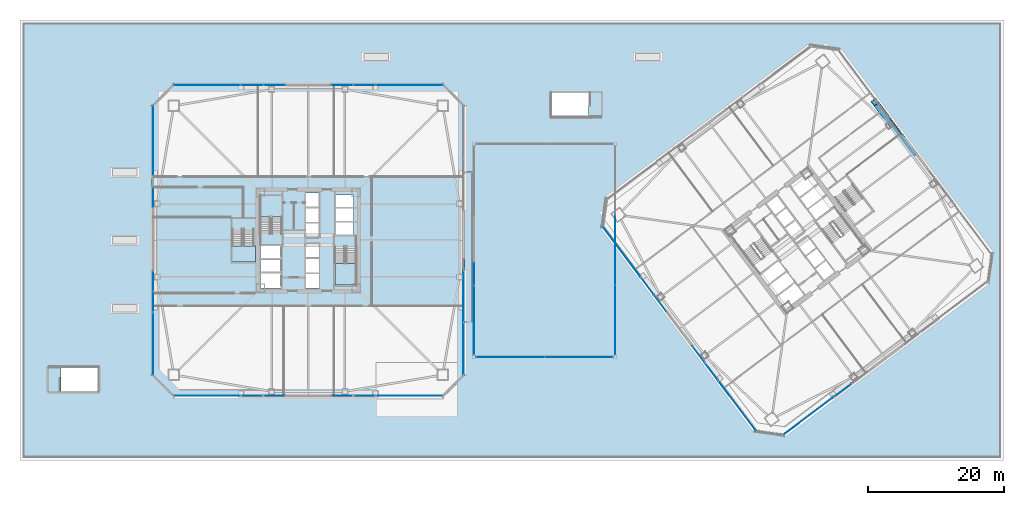
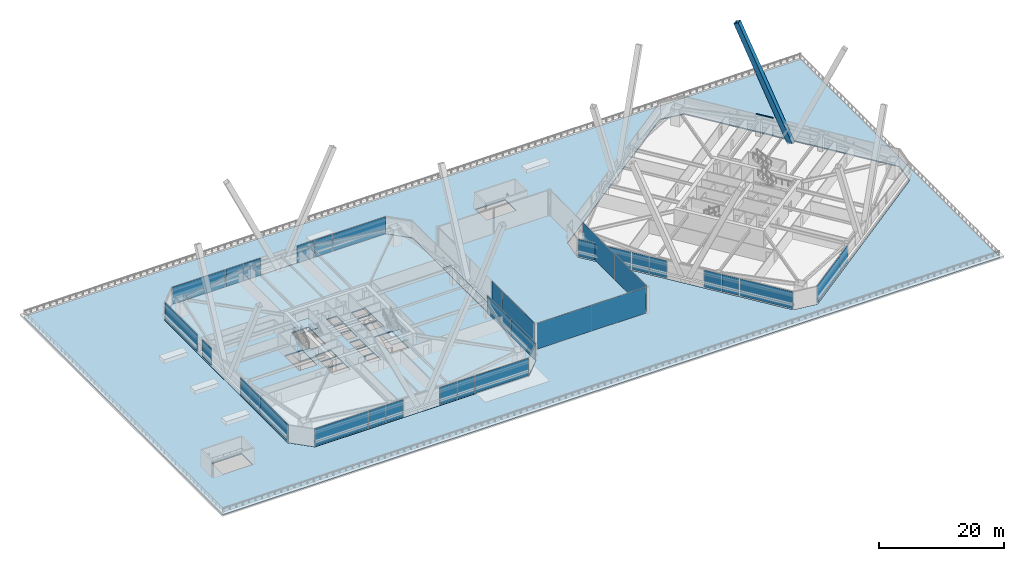
# One storey, part 66 of 83: 33 plates, 6 slabs, 3 members, 27 elements without a shape of their own.
"""IFC4 building model written with IfcOpenShell, lengths in metres."""

from ifc_helpers import new_model, si_unit, direction, frame, origin, origin_2d, place, context, subcontext, project, spatial, polyline, rectangle, hollow_rectangle, outline, extrude, material, layer, layer_set, material_profile, profile_set, type_object, element, aggregate, save


model = new_model("IFC4")

# Units and contexts
model_context = context("Model", 3, precision=1e-05, world=origin(), true_north=direction((0.0, 1.0)))
body_context = subcontext(model_context, "Body", "Model", "MODEL_VIEW")
ifc_project = project(units=[si_unit("LENGTHUNIT", "METRE"), si_unit("AREAUNIT", "SQUARE_METRE"), si_unit("VOLUMEUNIT", "CUBIC_METRE"), si_unit("PLANEANGLEUNIT", "RADIAN"), si_unit("MASSUNIT", "GRAM", prefix="KILO")], contexts=[model_context])

# Site, building, storey
site_placement = place(None, origin())
site = spatial("IfcSite", under=ifc_project, at=site_placement, CompositionType="ELEMENT")
building_placement = place(site_placement, origin())
building = spatial("IfcBuilding", under=site, at=building_placement, Name="Tashvorn Skyway Center", CompositionType="ELEMENT")
storey_placement = place(building_placement, frame((0.0, 0.0, 24.60009765625)))
storey = spatial("IfcBuildingStorey", under=building, at=storey_placement, Name="L05", CompositionType="ELEMENT", Elevation=24.60009765625)

# Curtain wall, members
ifc_material_1 = material(Name="Thermally broken bronze-anodized aluminium 6063-T6", Category="aluminium")
curtain_wall_type_1 = type_object("IfcCurtainWallType", Name="CW-CW-Z1", PredefinedType="NOTDEFINED", material=ifc_material_1)
curtain_wall_1_placement = place(storey_placement, origin())
curtain_wall_1 = element("IfcCurtainWall", 1, at=curtain_wall_1_placement, inside=storey, type_object=curtain_wall_type_1, Name="Tower 2 L05 East Unitised Curtain Wall Glazing Group 2", PredefinedType="NOTDEFINED")
ifc_material_profile_1 = material_profile(ifc_material_1, hollow_rectangle(XDim=0.0849609375, YDim=0.1650390625, WallThickness=0.0048828125, at=origin_2d()), Name="ALU-TRAN-85x165")
ifc_profile_set_1 = profile_set([ifc_material_profile_1], Name="Thermally broken bronze-anodized aluminium 6063-T6")
member_type_1 = type_object("IfcMemberType", Name="CWT-CW-Z1", PredefinedType="USERDEFINED", material=ifc_profile_set_1)
member_1_placement = place(storey_placement, frame((127.593505859375, 50.008544921875, 0.04248046875), z_axis=(0.600012938206, -0.799990296182, 0.0), x_axis=(0.799990296182, 0.600012938206, 0.0)))
member_1 = element("IfcMember", 2, at=member_1_placement, type_object=member_type_1, Name="CW-Z1 transom 2.1", ObjectType="TRANSOM", PredefinedType="USERDEFINED", context=body_context, shape_type="SweptSolid", body=[
    extrude(hollow_rectangle(XDim=0.0849609375, YDim=0.1650390625, WallThickness=0.0048828125, at=origin_2d()), origin(), (0.0, 0.0, 1.0), 3.01904296875),
])
member_2_placement = place(storey_placement, frame((127.593505859375, 50.008544921875, 3.50732421875), z_axis=(0.600012938206, -0.799990296182, 0.0), x_axis=(0.799990296182, 0.600012938206, 0.0)))
member_2 = element("IfcMember", 3, at=member_2_placement, type_object=member_type_1, Name="CW-Z1 transom 2.2", ObjectType="TRANSOM", PredefinedType="USERDEFINED", context=body_context, shape_type="SweptSolid", body=[
    extrude(hollow_rectangle(XDim=0.0849609375, YDim=0.1650390625, WallThickness=0.0048828125, at=origin_2d()), origin(), (0.0, 0.0, 1.0), 3.01904296875),
])
aggregate(curtain_wall_1, [member_1, member_2])

# Member
ifc_material_2 = material(Name="Steel ASTM A572 Grade 50", Category="steel")
ifc_material_profile_2 = material_profile(ifc_material_2, hollow_rectangle(XDim=0.89990234375, YDim=0.89990234375, WallThickness=0.0400390625, at=origin_2d()), Name="BOX900x900x40")
ifc_profile_set_2 = profile_set([ifc_material_profile_2], Name="Steel ASTM A572 Grade 50")
member_type_2 = type_object("IfcMemberType", Name="MEM-MB-900", PredefinedType="BRACE", material=ifc_profile_set_2)
member_3_placement = place(storey_placement, frame((131.10400390625, 44.827880859375, -0.22021484375), z_axis=(-0.244449863725, 0.325940206158, 0.913239971822), x_axis=(-0.800006233367, -0.599991688754, 0.0)))
element("IfcMember", 4, at=member_3_placement, inside=storey, type_object=member_type_2, Name="Tower 2 Zone 1 E Chevron Mega-Brace R1", PredefinedType="BRACE", context=body_context, shape_type="SweptSolid", body=[
    extrude(hollow_rectangle(XDim=0.89990234375, YDim=0.89990234375, WallThickness=0.0400390625, at=origin_2d()), origin(), (0.0, 0.0, 1.0), 23.07177734375),
])

# Curtain wall, plate
curtain_wall_type_2 = type_object("IfcCurtainWallType", Name="CW-CW-SKY", PredefinedType="NOTDEFINED", material=ifc_material_1)
curtain_wall_2_placement = place(storey_placement, origin())
curtain_wall_2 = element("IfcCurtainWall", 5, at=curtain_wall_2_placement, inside=storey, type_object=curtain_wall_type_2, Name="Station Concourse Monitor West Clerestory Curtain Wall Glazing Group 1", PredefinedType="NOTDEFINED")
ifc_material_3 = material(Name="Low-E solar-control double insulating safety glass", Category="glass")
ifc_layer_1 = layer(ifc_material_3, 0.028076171875)
ifc_layer_set_1 = layer_set([ifc_layer_1], Name="Low-E solar-control double insulating safety glass")
plate_type_1 = type_object("IfcPlateType", Name="CWP-CW-SKY", PredefinedType="CURTAIN_PANEL", material=ifc_layer_set_1)
plate_1_placement = place(storey_placement, frame((66.39990234375, 20.2333984375, 0.06494140625), z_axis=(0.0, 0.0, 1.0), x_axis=(0.0, 1.0, 0.0)))
plate_1 = element("IfcPlate", 6, at=plate_1_placement, type_object=plate_type_1, Name="CW-SKY panel 1.1", PredefinedType="CURTAIN_PANEL", context=body_context, shape_type="SweptSolid", body=[
    extrude(rectangle(XDim=10.13671875, YDim=0.028076171875, at=origin_2d()), origin(), (0.0, 0.0, 1.0), 5.070068359375),
])
aggregate(curtain_wall_2, [plate_1])

curtain_wall_3_placement = place(storey_placement, origin())
curtain_wall_3 = element("IfcCurtainWall", 7, at=curtain_wall_3_placement, inside=storey, type_object=curtain_wall_type_2, Name="Station Concourse Monitor West Clerestory Curtain Wall Glazing Group 2", PredefinedType="NOTDEFINED")
plate_2_placement = place(storey_placement, frame((66.39990234375, 27.077880859375, 0.06494140625), z_axis=(0.0, 0.0, 1.0), x_axis=(0.0, 1.0, 0.0)))
plate_2 = element("IfcPlate", 8, at=plate_2_placement, type_object=plate_type_1, Name="CW-SKY panel 1.1", PredefinedType="CURTAIN_PANEL", context=body_context, shape_type="SweptSolid", body=[
    extrude(rectangle(XDim=3.292236328125, YDim=0.028076171875, at=origin_2d()), origin(), (0.0, 0.0, 1.0), 5.070068359375),
])
aggregate(curtain_wall_3, [plate_2])

# Curtain wall, plates
curtain_wall_4_placement = place(storey_placement, origin())
curtain_wall_4 = element("IfcCurtainWall", 9, at=curtain_wall_4_placement, inside=storey, type_object=curtain_wall_type_2, Name="Station Concourse Monitor East Clerestory Curtain Wall", PredefinedType="NOTDEFINED")
plate_3_placement = place(storey_placement, frame((87.199951171875, 30.5, 0.06494140625), z_axis=(0.0, 0.0, 1.0), x_axis=(0.0, -1.0, 0.0)))
plate_3 = element("IfcPlate", 10, at=plate_3_placement, type_object=plate_type_1, Name="CW-SKY panel 2.1", PredefinedType="CURTAIN_PANEL", context=body_context, shape_type="SweptSolid", body=[
    extrude(rectangle(XDim=10.20166015625, YDim=0.028076171875, at=origin_2d()), origin(), (0.0, 0.0, 1.0), 5.070068359375),
])
plate_4_placement = place(storey_placement, frame((87.199951171875, 20.24951171875, 0.06494140625), z_axis=(0.0, 0.0, 1.0), x_axis=(0.0, -1.0, 0.0)))
plate_4 = element("IfcPlate", 11, at=plate_4_placement, type_object=plate_type_1, Name="CW-SKY panel 3.1", PredefinedType="CURTAIN_PANEL", context=body_context, shape_type="SweptSolid", body=[
    extrude(rectangle(XDim=10.169189453125, YDim=0.028076171875, at=origin_2d()), origin(), (0.0, 0.0, 1.0), 5.070068359375),
])
aggregate(curtain_wall_4, [plate_3, plate_4])

curtain_wall_5_placement = place(storey_placement, origin())
curtain_wall_5 = element("IfcCurtainWall", 12, at=curtain_wall_5_placement, inside=storey, type_object=curtain_wall_type_2, Name="Station Concourse Monitor South Clerestory Curtain Wall", PredefinedType="NOTDEFINED")
plate_5_placement = place(storey_placement, frame((81.833740234375, 14.800048828125, 0.06494140625), z_axis=(0.0, 0.0, 1.0), x_axis=(-1.0, 0.0, 0.0)))
plate_5 = element("IfcPlate", 13, at=plate_5_placement, type_object=plate_type_1, Name="CW-SKY panel 1.1", PredefinedType="CURTAIN_PANEL", context=body_context, shape_type="SweptSolid", body=[
    extrude(rectangle(XDim=10.00244140625, YDim=0.028076171875, at=origin_2d()), origin(), (0.0, 0.0, 1.0), 5.070068359375),
])
plate_6_placement = place(storey_placement, frame((71.766357421875, 14.800048828125, 0.06494140625), z_axis=(0.0, 0.0, 1.0), x_axis=(-1.0, 0.0, 0.0)))
plate_6 = element("IfcPlate", 14, at=plate_6_placement, type_object=plate_type_1, Name="CW-SKY panel 2.1", PredefinedType="CURTAIN_PANEL", context=body_context, shape_type="SweptSolid", body=[
    extrude(rectangle(XDim=10.00244140625, YDim=0.028076171875, at=origin_2d()), origin(), (0.0, 0.0, 1.0), 5.070068359375),
])
aggregate(curtain_wall_5, [plate_5, plate_6])

# Curtain wall, plate
curtain_wall_6_placement = place(storey_placement, origin())
curtain_wall_6 = element("IfcCurtainWall", 15, at=curtain_wall_6_placement, inside=storey, type_object=curtain_wall_type_1, Name="Tower 1 L05 South Unitised Curtain Wall Glazing Group 1", PredefinedType="NOTDEFINED")
ifc_layer_2 = layer(ifc_material_3, 0.048095703125)
ifc_layer_set_2 = layer_set([ifc_layer_2], Name="Low-E solar-control double insulating safety glass")
plate_type_2 = type_object("IfcPlateType", Name="CWP-CW-Z1", PredefinedType="CURTAIN_PANEL", material=ifc_layer_set_2)
plate_7_placement = place(storey_placement, frame((56.909912109375, 9.1201171875, 0.0849609375), z_axis=(0.0, 0.0, 1.0), x_axis=(-1.0, 0.0, 0.0)))
plate_7 = element("IfcPlate", 16, at=plate_7_placement, type_object=plate_type_2, Name="CW-Z1 panel 1.1", PredefinedType="CURTAIN_PANEL", context=body_context, shape_type="SweptSolid", body=[
    extrude(rectangle(XDim=9.77001953125, YDim=0.048095703125, at=origin_2d()), origin(), (0.0, 0.0, 1.0), 3.3798828125),
])
aggregate(curtain_wall_6, [plate_7])

# Curtain wall, plates
curtain_wall_7_placement = place(storey_placement, origin())
curtain_wall_7 = element("IfcCurtainWall", 17, at=curtain_wall_7_placement, inside=storey, type_object=curtain_wall_type_1, Name="Tower 1 L05 South Unitised Curtain Wall Glazing Group 2", PredefinedType="NOTDEFINED")
plate_8_placement = place(storey_placement, frame((50.261962890625, 9.1201171875, 0.0849609375), z_axis=(0.0, 0.0, 1.0), x_axis=(-1.0, 0.0, 0.0)))
plate_8 = element("IfcPlate", 18, at=plate_8_placement, type_object=plate_type_2, Name="CW-Z1 panel 1.1", PredefinedType="CURTAIN_PANEL", context=body_context, shape_type="SweptSolid", body=[
    extrude(rectangle(XDim=3.185791015625, YDim=0.048095703125, at=origin_2d()), origin(), (0.0, 0.0, 1.0), 3.3798828125),
])
plate_9_placement = place(storey_placement, frame((46.9912109375, 9.1201171875, 0.0849609375), z_axis=(0.0, 0.0, 1.0), x_axis=(-1.0, 0.0, 0.0)))
plate_9 = element("IfcPlate", 19, at=plate_9_placement, type_object=plate_type_2, Name="CW-Z1 panel 2.1", PredefinedType="CURTAIN_PANEL", context=body_context, shape_type="SweptSolid", body=[
    extrude(rectangle(XDim=3.185791015625, YDim=0.048095703125, at=origin_2d()), origin(), (0.0, 0.0, 1.0), 3.3798828125),
])
aggregate(curtain_wall_7, [plate_8, plate_9])

curtain_wall_8_placement = place(storey_placement, origin())
curtain_wall_8 = element("IfcCurtainWall", 20, at=curtain_wall_8_placement, inside=storey, type_object=curtain_wall_type_1, Name="Tower 1 L05 South Unitised Curtain Wall Glazing Group 3", PredefinedType="NOTDEFINED")
plate_10_placement = place(storey_placement, frame((37.0087890625, 9.1201171875, 0.0849609375), z_axis=(0.0, 0.0, 1.0), x_axis=(-1.0, 0.0, 0.0)))
plate_10 = element("IfcPlate", 21, at=plate_10_placement, type_object=plate_type_2, Name="CW-Z1 panel 1.1", PredefinedType="CURTAIN_PANEL", context=body_context, shape_type="SweptSolid", body=[
    extrude(rectangle(XDim=3.185791015625, YDim=0.048095703125, at=origin_2d()), origin(), (0.0, 0.0, 1.0), 3.3798828125),
])
plate_11_placement = place(storey_placement, frame((33.738037109375, 9.1201171875, 0.0849609375), z_axis=(0.0, 0.0, 1.0), x_axis=(-1.0, 0.0, 0.0)))
plate_11 = element("IfcPlate", 22, at=plate_11_placement, type_object=plate_type_2, Name="CW-Z1 panel 2.1", PredefinedType="CURTAIN_PANEL", context=body_context, shape_type="SweptSolid", body=[
    extrude(rectangle(XDim=3.185791015625, YDim=0.048095703125, at=origin_2d()), origin(), (0.0, 0.0, 1.0), 3.3798828125),
])
aggregate(curtain_wall_8, [plate_10, plate_11])

# Curtain wall, plate
curtain_wall_9_placement = place(storey_placement, origin())
curtain_wall_9 = element("IfcCurtainWall", 23, at=curtain_wall_9_placement, inside=storey, type_object=curtain_wall_type_1, Name="Tower 1 L05 South Unitised Curtain Wall Glazing Group 4", PredefinedType="NOTDEFINED")
plate_12_placement = place(storey_placement, frame((27.090087890625, 9.1201171875, 0.0849609375), z_axis=(0.0, 0.0, 1.0), x_axis=(-1.0, 0.0, 0.0)))
plate_12 = element("IfcPlate", 24, at=plate_12_placement, type_object=plate_type_2, Name="CW-Z1 panel 1.1", PredefinedType="CURTAIN_PANEL", context=body_context, shape_type="SweptSolid", body=[
    extrude(rectangle(XDim=9.77001953125, YDim=0.048095703125, at=origin_2d()), origin(), (0.0, 0.0, 1.0), 3.3798828125),
])
aggregate(curtain_wall_9, [plate_12])

curtain_wall_10_placement = place(storey_placement, origin())
curtain_wall_10 = element("IfcCurtainWall", 25, at=curtain_wall_10_placement, inside=storey, type_object=curtain_wall_type_1, Name="Tower 1 L05 West Unitised Curtain Wall L Glazing Group 1", PredefinedType="NOTDEFINED")
plate_13_placement = place(storey_placement, frame((19.1201171875, 16.74462890625, 0.0849609375), z_axis=(0.0, 0.0, 1.0), x_axis=(0.0, 1.0, 0.0)))
plate_13 = element("IfcPlate", 26, at=plate_13_placement, type_object=plate_type_2, Name="CW-Z1 panel 1.1", PredefinedType="CURTAIN_PANEL", context=body_context, shape_type="SweptSolid", body=[
    extrude(rectangle(XDim=9.0791015625, YDim=0.048095703125, at=origin_2d()), origin(), (0.0, 0.0, 1.0), 3.3798828125),
])
aggregate(curtain_wall_10, [plate_13])

# Curtain wall, plates
curtain_wall_11_placement = place(storey_placement, origin())
curtain_wall_11 = element("IfcCurtainWall", 27, at=curtain_wall_11_placement, inside=storey, type_object=curtain_wall_type_1, Name="Tower 1 L05 West Unitised Curtain Wall L Glazing Group 2", PredefinedType="NOTDEFINED")
plate_14_placement = place(storey_placement, frame((19.1201171875, 22.931884765625, 0.0849609375), z_axis=(0.0, 0.0, 1.0), x_axis=(0.0, 1.0, 0.0)))
plate_14 = element("IfcPlate", 28, at=plate_14_placement, type_object=plate_type_2, Name="CW-Z1 panel 1.1", PredefinedType="CURTAIN_PANEL", context=body_context, shape_type="SweptSolid", body=[
    extrude(rectangle(XDim=2.95556640625, YDim=0.048095703125, at=origin_2d()), origin(), (0.0, 0.0, 1.0), 3.3798828125),
])
plate_15_placement = place(storey_placement, frame((19.1201171875, 25.972412109375, 0.0849609375), z_axis=(0.0, 0.0, 1.0), x_axis=(0.0, 1.0, 0.0)))
plate_15 = element("IfcPlate", 29, at=plate_15_placement, type_object=plate_type_2, Name="CW-Z1 panel 2.1", PredefinedType="CURTAIN_PANEL", context=body_context, shape_type="SweptSolid", body=[
    extrude(rectangle(XDim=2.95556640625, YDim=0.048095703125, at=origin_2d()), origin(), (0.0, 0.0, 1.0), 3.3798828125),
])
aggregate(curtain_wall_11, [plate_14, plate_15])

# Curtain wall, plate
curtain_wall_12_placement = place(storey_placement, origin())
curtain_wall_12 = element("IfcCurtainWall", 30, at=curtain_wall_12_placement, inside=storey, type_object=curtain_wall_type_1, Name="Tower 1 L05 West Unitised Curtain Wall L Glazing Group 3", PredefinedType="NOTDEFINED")
plate_16_placement = place(storey_placement, frame((19.1201171875, 38.325927734375, 0.0849609375), z_axis=(0.0, 0.0, 1.0), x_axis=(0.0, 1.0, 0.0)))
plate_16 = element("IfcPlate", 31, at=plate_16_placement, type_object=plate_type_2, Name="CW-Z1 panel 1.1", PredefinedType="CURTAIN_PANEL", context=body_context, shape_type="SweptSolid", body=[
    extrude(rectangle(XDim=2.9130859375, YDim=0.048095703125, at=origin_2d()), origin(), (0.0, 0.0, 1.0), 3.3798828125),
])
aggregate(curtain_wall_12, [plate_16])

curtain_wall_13_placement = place(storey_placement, origin())
curtain_wall_13 = element("IfcCurtainWall", 32, at=curtain_wall_13_placement, inside=storey, type_object=curtain_wall_type_1, Name="Tower 1 L05 West Unitised Curtain Wall R", PredefinedType="NOTDEFINED")
plate_17_placement = place(storey_placement, frame((19.1201171875, 46.581298828125, 0.0849609375), z_axis=(0.0, 0.0, 1.0), x_axis=(0.0, 1.0, 0.0)))
plate_17 = element("IfcPlate", 33, at=plate_17_placement, type_object=plate_type_2, Name="CW-Z1 panel 1.1", PredefinedType="CURTAIN_PANEL", context=body_context, shape_type="SweptSolid", body=[
    extrude(rectangle(XDim=10.427490234375, YDim=0.048095703125, at=origin_2d()), origin(), (0.0, 0.0, 1.0), 3.3798828125),
])
aggregate(curtain_wall_13, [plate_17])

curtain_wall_14_placement = place(storey_placement, origin())
curtain_wall_14 = element("IfcCurtainWall", 34, at=curtain_wall_14_placement, inside=storey, type_object=curtain_wall_type_1, Name="Tower 1 L05 North Unitised Curtain Wall Glazing Group 1", PredefinedType="NOTDEFINED")
plate_18_placement = place(storey_placement, frame((27.090087890625, 54.8798828125, 0.0849609375), z_axis=(0.0, 0.0, 1.0), x_axis=(1.0, 0.0, 0.0)))
plate_18 = element("IfcPlate", 35, at=plate_18_placement, type_object=plate_type_2, Name="CW-Z1 panel 1.1", PredefinedType="CURTAIN_PANEL", context=body_context, shape_type="SweptSolid", body=[
    extrude(rectangle(XDim=9.77001953125, YDim=0.048095703125, at=origin_2d()), origin(), (0.0, 0.0, 1.0), 3.3798828125),
])
aggregate(curtain_wall_14, [plate_18])

# Curtain wall, plates
curtain_wall_15_placement = place(storey_placement, origin())
curtain_wall_15 = element("IfcCurtainWall", 36, at=curtain_wall_15_placement, inside=storey, type_object=curtain_wall_type_1, Name="Tower 1 L05 North Unitised Curtain Wall Glazing Group 2", PredefinedType="NOTDEFINED")
plate_19_placement = place(storey_placement, frame((33.738037109375, 54.8798828125, 0.0849609375), z_axis=(0.0, 0.0, 1.0), x_axis=(1.0, 0.0, 0.0)))
plate_19 = element("IfcPlate", 37, at=plate_19_placement, type_object=plate_type_2, Name="CW-Z1 panel 1.1", PredefinedType="CURTAIN_PANEL", context=body_context, shape_type="SweptSolid", body=[
    extrude(rectangle(XDim=3.185791015625, YDim=0.048095703125, at=origin_2d()), origin(), (0.0, 0.0, 1.0), 3.3798828125),
])
plate_20_placement = place(storey_placement, frame((37.0087890625, 54.8798828125, 0.0849609375), z_axis=(0.0, 0.0, 1.0), x_axis=(1.0, 0.0, 0.0)))
plate_20 = element("IfcPlate", 38, at=plate_20_placement, type_object=plate_type_2, Name="CW-Z1 panel 2.1", PredefinedType="CURTAIN_PANEL", context=body_context, shape_type="SweptSolid", body=[
    extrude(rectangle(XDim=3.185791015625, YDim=0.048095703125, at=origin_2d()), origin(), (0.0, 0.0, 1.0), 3.3798828125),
])
aggregate(curtain_wall_15, [plate_19, plate_20])

curtain_wall_16_placement = place(storey_placement, origin())
curtain_wall_16 = element("IfcCurtainWall", 39, at=curtain_wall_16_placement, inside=storey, type_object=curtain_wall_type_1, Name="Tower 1 L05 North Unitised Curtain Wall Glazing Group 3", PredefinedType="NOTDEFINED")
plate_21_placement = place(storey_placement, frame((46.9912109375, 54.8798828125, 0.0849609375), z_axis=(0.0, 0.0, 1.0), x_axis=(1.0, 0.0, 0.0)))
plate_21 = element("IfcPlate", 40, at=plate_21_placement, type_object=plate_type_2, Name="CW-Z1 panel 1.1", PredefinedType="CURTAIN_PANEL", context=body_context, shape_type="SweptSolid", body=[
    extrude(rectangle(XDim=3.185791015625, YDim=0.048095703125, at=origin_2d()), origin(), (0.0, 0.0, 1.0), 3.3798828125),
])
plate_22_placement = place(storey_placement, frame((50.261962890625, 54.8798828125, 0.0849609375), z_axis=(0.0, 0.0, 1.0), x_axis=(1.0, 0.0, 0.0)))
plate_22 = element("IfcPlate", 41, at=plate_22_placement, type_object=plate_type_2, Name="CW-Z1 panel 2.1", PredefinedType="CURTAIN_PANEL", context=body_context, shape_type="SweptSolid", body=[
    extrude(rectangle(XDim=3.185791015625, YDim=0.048095703125, at=origin_2d()), origin(), (0.0, 0.0, 1.0), 3.3798828125),
])
aggregate(curtain_wall_16, [plate_21, plate_22])

# Curtain wall, plate
curtain_wall_17_placement = place(storey_placement, origin())
curtain_wall_17 = element("IfcCurtainWall", 42, at=curtain_wall_17_placement, inside=storey, type_object=curtain_wall_type_1, Name="Tower 1 L05 North Unitised Curtain Wall Glazing Group 4", PredefinedType="NOTDEFINED")
plate_23_placement = place(storey_placement, frame((56.909912109375, 54.8798828125, 0.0849609375), z_axis=(0.0, 0.0, 1.0), x_axis=(1.0, 0.0, 0.0)))
plate_23 = element("IfcPlate", 43, at=plate_23_placement, type_object=plate_type_2, Name="CW-Z1 panel 1.1", PredefinedType="CURTAIN_PANEL", context=body_context, shape_type="SweptSolid", body=[
    extrude(rectangle(XDim=9.77001953125, YDim=0.048095703125, at=origin_2d()), origin(), (0.0, 0.0, 1.0), 3.3798828125),
])
aggregate(curtain_wall_17, [plate_23])

# Curtain wall, plates
curtain_wall_18_placement = place(storey_placement, origin())
curtain_wall_18 = element("IfcCurtainWall", 44, at=curtain_wall_18_placement, inside=storey, type_object=curtain_wall_type_1, Name="Tower 1 L05 East Curtain Wall R", PredefinedType="NOTDEFINED")
plate_24_placement = place(storey_placement, frame((64.8798828125, 23.746337890625, 0.0849609375), z_axis=(0.0, 0.0, 1.0), x_axis=(0.0, -1.0, 0.0)))
plate_24 = element("IfcPlate", 45, at=plate_24_placement, type_object=plate_type_2, Name="CW-Z1 panel 1.1", PredefinedType="CURTAIN_PANEL", context=body_context, shape_type="SweptSolid", body=[
    extrude(rectangle(XDim=7.637451171875, YDim=0.048095703125, at=origin_2d()), origin(), (0.0, 0.0, 1.0), 3.3798828125),
])
plate_25_placement = place(storey_placement, frame((64.8798828125, 16.023681640625, 0.0849609375), z_axis=(0.0, 0.0, 1.0), x_axis=(0.0, -1.0, 0.0)))
plate_25 = element("IfcPlate", 46, at=plate_25_placement, type_object=plate_type_2, Name="CW-Z1 panel 2.1", PredefinedType="CURTAIN_PANEL", context=body_context, shape_type="SweptSolid", body=[
    extrude(rectangle(XDim=7.637451171875, YDim=0.048095703125, at=origin_2d()), origin(), (0.0, 0.0, 1.0), 3.3798828125),
])
aggregate(curtain_wall_18, [plate_24, plate_25])

# Curtain wall, plate
curtain_wall_19_placement = place(storey_placement, origin())
curtain_wall_19 = element("IfcCurtainWall", 47, at=curtain_wall_19_placement, inside=storey, type_object=curtain_wall_type_1, Name="Tower 2 L05 South Unitised Curtain Wall Glazing Group 3", PredefinedType="NOTDEFINED")
plate_26_placement = place(storey_placement, frame((120.731689453125, 9.94873046875, 0.0849609375), z_axis=(0.0, 0.0, 1.0), x_axis=(-0.800001906763, -0.599997457641, 0.0)))
plate_26 = element("IfcPlate", 48, at=plate_26_placement, type_object=plate_type_2, Name="CW-Z1 panel 2.1", PredefinedType="CURTAIN_PANEL", context=body_context, shape_type="SweptSolid", body=[
    extrude(rectangle(XDim=3.019287109375, YDim=0.048095703125, at=origin_2d()), origin(), (0.0, 0.0, 1.0), 3.3798828125),
])
aggregate(curtain_wall_19, [plate_26])

curtain_wall_20_placement = place(storey_placement, origin())
curtain_wall_20 = element("IfcCurtainWall", 49, at=curtain_wall_20_placement, inside=storey, type_object=curtain_wall_type_1, Name="Tower 2 L05 South Unitised Curtain Wall Glazing Group 4", PredefinedType="NOTDEFINED")
plate_27_placement = place(storey_placement, frame((115.679931640625, 6.159912109375, 0.0849609375), z_axis=(0.0, 0.0, 1.0), x_axis=(-0.799999999998, -0.600000000002, 0.0)))
plate_27 = element("IfcPlate", 50, at=plate_27_placement, type_object=plate_type_2, Name="CW-Z1 panel 1.1", PredefinedType="CURTAIN_PANEL", context=body_context, shape_type="SweptSolid", body=[
    extrude(rectangle(XDim=9.27001953125, YDim=0.048095703125, at=origin_2d()), origin(), (0.0, 0.0, 1.0), 3.3798828125),
])
aggregate(curtain_wall_20, [plate_27])

curtain_wall_21_placement = place(storey_placement, origin())
curtain_wall_21 = element("IfcCurtainWall", 51, at=curtain_wall_21_placement, inside=storey, type_object=curtain_wall_type_1, Name="Tower 2 L05 West Unitised Curtain Wall Glazing Group 1", PredefinedType="NOTDEFINED")
plate_28_placement = place(storey_placement, frame((105.152099609375, 7.6640625, 0.0849609375), z_axis=(0.0, 0.0, 1.0), x_axis=(-0.600000000002, 0.799999999998, 0.0)))
plate_28 = element("IfcPlate", 52, at=plate_28_placement, type_object=plate_type_2, Name="CW-Z1 panel 1.1", PredefinedType="CURTAIN_PANEL", context=body_context, shape_type="SweptSolid", body=[
    extrude(rectangle(XDim=9.27001953125, YDim=0.048095703125, at=origin_2d()), origin(), (0.0, 0.0, 1.0), 3.3798828125),
])
aggregate(curtain_wall_21, [plate_28])

# Curtain wall, plates
curtain_wall_22_placement = place(storey_placement, origin())
curtain_wall_22 = element("IfcCurtainWall", 53, at=curtain_wall_22_placement, inside=storey, type_object=curtain_wall_type_1, Name="Tower 2 L05 West Unitised Curtain Wall Glazing Group 2", PredefinedType="NOTDEFINED")
plate_29_placement = place(storey_placement, frame((101.36328125, 12.715576171875, 0.0849609375), z_axis=(0.0, 0.0, 1.0), x_axis=(-0.599997457641, 0.800001906763, 0.0)))
plate_29 = element("IfcPlate", 54, at=plate_29_placement, type_object=plate_type_2, Name="CW-Z1 panel 1.1", PredefinedType="CURTAIN_PANEL", context=body_context, shape_type="SweptSolid", body=[
    extrude(rectangle(XDim=3.019287109375, YDim=0.048095703125, at=origin_2d()), origin(), (0.0, 0.0, 1.0), 3.3798828125),
])
plate_30_placement = place(storey_placement, frame((99.500732421875, 15.198974609375, 0.0849609375), z_axis=(0.0, 0.0, 1.0), x_axis=(-0.599997457641, 0.800001906763, 0.0)))
plate_30 = element("IfcPlate", 55, at=plate_30_placement, type_object=plate_type_2, Name="CW-Z1 panel 2.1", PredefinedType="CURTAIN_PANEL", context=body_context, shape_type="SweptSolid", body=[
    extrude(rectangle(XDim=3.019287109375, YDim=0.048095703125, at=origin_2d()), origin(), (0.0, 0.0, 1.0), 3.3798828125),
])
aggregate(curtain_wall_22, [plate_29, plate_30])

curtain_wall_23_placement = place(storey_placement, origin())
curtain_wall_23 = element("IfcCurtainWall", 56, at=curtain_wall_23_placement, inside=storey, type_object=curtain_wall_type_1, Name="Tower 2 L05 West Unitised Curtain Wall Glazing Group 3", PredefinedType="NOTDEFINED")
plate_31_placement = place(storey_placement, frame((93.811279296875, 22.784912109375, 0.0849609375), z_axis=(0.0, 0.0, 1.0), x_axis=(-0.599997457641, 0.800001906763, 0.0)))
plate_31 = element("IfcPlate", 57, at=plate_31_placement, type_object=plate_type_2, Name="CW-Z1 panel 1.1", PredefinedType="CURTAIN_PANEL", context=body_context, shape_type="SweptSolid", body=[
    extrude(rectangle(XDim=3.019287109375, YDim=0.048095703125, at=origin_2d()), origin(), (0.0, 0.0, 1.0), 3.3798828125),
])
plate_32_placement = place(storey_placement, frame((91.94873046875, 25.268310546875, 0.0849609375), z_axis=(0.0, 0.0, 1.0), x_axis=(-0.599997457641, 0.800001906763, 0.0)))
plate_32 = element("IfcPlate", 58, at=plate_32_placement, type_object=plate_type_2, Name="CW-Z1 panel 2.1", PredefinedType="CURTAIN_PANEL", context=body_context, shape_type="SweptSolid", body=[
    extrude(rectangle(XDim=3.019287109375, YDim=0.048095703125, at=origin_2d()), origin(), (0.0, 0.0, 1.0), 3.3798828125),
])
aggregate(curtain_wall_23, [plate_31, plate_32])

# Curtain wall, plate
curtain_wall_24_placement = place(storey_placement, origin())
curtain_wall_24 = element("IfcCurtainWall", 59, at=curtain_wall_24_placement, inside=storey, type_object=curtain_wall_type_1, Name="Tower 2 L05 West Unitised Curtain Wall Glazing Group 4", PredefinedType="NOTDEFINED")
plate_33_placement = place(storey_placement, frame((88.159912109375, 30.320068359375, 0.0849609375), z_axis=(0.0, 0.0, 1.0), x_axis=(-0.600000000002, 0.799999999998, 0.0)))
plate_33 = element("IfcPlate", 60, at=plate_33_placement, type_object=plate_type_2, Name="CW-Z1 panel 1.1", PredefinedType="CURTAIN_PANEL", context=body_context, shape_type="SweptSolid", body=[
    extrude(rectangle(XDim=9.27001953125, YDim=0.048095703125, at=origin_2d()), origin(), (0.0, 0.0, 1.0), 3.3798828125),
])
aggregate(curtain_wall_24, [plate_33])

# Slab
ifc_material_4 = material(Name="Concrete C40/50", Category="concrete")
ifc_layer_3 = layer(ifc_material_4, 0.199951171875)
ifc_layer_set_3 = layer_set([ifc_layer_3], Name="Concrete C40/50")
slab_type_1 = type_object("IfcSlabType", Name="SLAB-FLR-200", PredefinedType="FLOOR", material=ifc_layer_set_3)
slab_1_placement = place(storey_placement, frame((0.0, 0.0, -0.2001953125)))
element("IfcSlab", 61, at=slab_1_placement, inside=storey, type_object=slab_type_1, Name="Tower 1 L05 Composite Floor Slab", PredefinedType="FLOOR", context=body_context, shape_type="SweptSolid", body=[
    extrude(outline(polyline([(22.199951171875, 9.0), (61.800048828125, 9.0), (65.0, 12.199951171875), (65.0, 51.800048828125), (61.800048828125, 55.0), (22.199951171875, 55.0), (19.0, 51.800048828125), (19.0, 12.199951171875), (22.199951171875, 9.0)]), holes=[polyline([(38.10009765625, 33.080078125), (38.10009765625, 38.60009765625), (34.89990234375, 38.60009765625), (34.89990234375, 33.080078125), (38.10009765625, 33.080078125)]), polyline([(45.89990234375, 30.919921875), (45.89990234375, 25.39990234375), (49.10009765625, 25.39990234375), (49.10009765625, 30.919921875), (45.89990234375, 30.919921875)]), polyline([(30.800048828125, 33.52001953125), (30.800048828125, 28.800048828125), (34.0, 28.800048828125), (34.0, 33.52001953125), (30.800048828125, 33.52001953125)]), polyline([(34.949951171875, 29.35009765625), (37.949951171875, 29.35009765625), (37.949951171875, 31.199951171875), (34.949951171875, 31.199951171875), (34.949951171875, 29.35009765625)]), polyline([(34.949951171875, 27.35009765625), (37.949951171875, 27.35009765625), (37.949951171875, 29.199951171875), (34.949951171875, 29.199951171875), (34.949951171875, 27.35009765625)]), polyline([(34.949951171875, 25.0), (37.949951171875, 25.0), (37.949951171875, 27.14990234375), (34.949951171875, 27.14990234375), (34.949951171875, 25.0)]), polyline([(41.64990234375, 25.0), (43.550048828125, 25.0), (43.550048828125, 27.050048828125), (41.64990234375, 27.050048828125), (41.64990234375, 25.0)]), polyline([(41.64990234375, 27.25), (43.550048828125, 27.25), (43.550048828125, 29.300048828125), (41.64990234375, 29.300048828125), (41.64990234375, 27.25)]), polyline([(41.64990234375, 29.5), (43.550048828125, 29.5), (43.550048828125, 31.550048828125), (41.64990234375, 31.550048828125), (41.64990234375, 29.5)]), polyline([(41.64990234375, 32.449951171875), (43.550048828125, 32.449951171875), (43.550048828125, 34.5), (41.64990234375, 34.5), (41.64990234375, 32.449951171875)]), polyline([(41.64990234375, 34.699951171875), (43.550048828125, 34.699951171875), (43.550048828125, 36.75), (41.64990234375, 36.75), (41.64990234375, 34.699951171875)]), polyline([(41.64990234375, 36.949951171875), (43.550048828125, 36.949951171875), (43.550048828125, 39.0), (41.64990234375, 39.0), (41.64990234375, 36.949951171875)]), polyline([(46.050048828125, 32.800048828125), (48.64990234375, 32.800048828125), (48.64990234375, 34.64990234375), (46.050048828125, 34.64990234375), (46.050048828125, 32.800048828125)]), polyline([(46.050048828125, 34.85009765625), (48.64990234375, 34.85009765625), (48.64990234375, 36.699951171875), (46.050048828125, 36.699951171875), (46.050048828125, 34.85009765625)]), polyline([(46.050048828125, 36.89990234375), (48.64990234375, 36.89990234375), (48.64990234375, 38.64990234375), (46.050048828125, 38.64990234375), (46.050048828125, 36.89990234375)])]), origin(), (0.0, 0.0, 1.0), 0.2001953125),
])

# Stair, slab
stair_type = type_object("IfcStairType", Name="STAIR-CORE-1500", PredefinedType="HALF_TURN_STAIR", material=ifc_material_4)
stair_1_placement = place(storey_placement, origin())
stair_1 = element("IfcStair", 62, at=stair_1_placement, inside=storey, type_object=stair_type, Name="L05 Tower 1 Exit Stair 1", PredefinedType="HALF_TURN_STAIR")
ifc_layer_4 = layer(ifc_material_4, 0.199951171875)
ifc_layer_set_4 = layer_set([ifc_layer_4], Name="Concrete C40/50")
slab_type_2 = type_object("IfcSlabType", Name="SLAB-LAND-200", PredefinedType="LANDING", material=ifc_layer_set_4)
slab_2_placement = place(storey_placement, frame((0.0, 0.0, 1.574951171875)))
slab_2 = element("IfcSlab", 63, at=slab_2_placement, type_object=slab_type_2, Name="ST-T1-1 landing 1", PredefinedType="LANDING", context=body_context, shape_type="SweptSolid", body=[
    extrude(outline(polyline([(38.10009765625, 35.43994140625), (38.10009765625, 38.60009765625), (34.89990234375, 38.60009765625), (34.89990234375, 35.43994140625), (38.10009765625, 35.43994140625)])), origin(), (0.0, 0.0, 1.0), 0.199951171875),
])
aggregate(stair_1, [slab_2])

stair_2_placement = place(storey_placement, origin())
stair_2 = element("IfcStair", 64, at=stair_2_placement, inside=storey, type_object=stair_type, Name="L05 Tower 1 Exit Stair 2", PredefinedType="HALF_TURN_STAIR")
slab_3_placement = place(storey_placement, frame((0.0, 0.0, 1.574951171875)))
slab_3 = element("IfcSlab", 65, at=slab_3_placement, type_object=slab_type_2, Name="ST-T1-2 landing 1", PredefinedType="LANDING", context=body_context, shape_type="SweptSolid", body=[
    extrude(outline(polyline([(45.89990234375, 28.56005859375), (45.89990234375, 25.39990234375), (49.10009765625, 25.39990234375), (49.10009765625, 28.56005859375), (45.89990234375, 28.56005859375)])), origin(), (0.0, 0.0, 1.0), 0.199951171875),
])
aggregate(stair_2, [slab_3])

stair_3_placement = place(storey_placement, origin())
stair_3 = element("IfcStair", 66, at=stair_3_placement, inside=storey, type_object=stair_type, Name="L05 Tower 1 Exit Stair 3", PredefinedType="HALF_TURN_STAIR")
slab_4_placement = place(storey_placement, frame((0.0, 0.0, 1.574951171875)))
slab_4 = element("IfcSlab", 67, at=slab_4_placement, type_object=slab_type_2, Name="ST-T1-3 landing 1", PredefinedType="LANDING", context=body_context, shape_type="SweptSolid", body=[
    extrude(outline(polyline([(30.800048828125, 31.159912109375), (30.800048828125, 28.800048828125), (34.199951171875, 28.800048828125), (34.199951171875, 31.159912109375), (30.800048828125, 31.159912109375)])), origin(), (0.0, 0.0, 1.0), 0.199951171875),
])
aggregate(stair_3, [slab_4])

# Slabs
ifc_layer_5 = layer(ifc_material_4, 0.25)
ifc_layer_set_5 = layer_set([ifc_layer_5], Name="Concrete C40/50")
slab_type_3 = type_object("IfcSlabType", Name="SLAB-ROOF-250", PredefinedType="ROOF", material=ifc_layer_set_5)
slab_5_placement = place(storey_placement, frame((0.0, 0.0, -0.2001953125)))
element("IfcSlab", 68, at=slab_5_placement, inside=storey, type_object=slab_type_3, Name="L05 Podium Extensive Green Roof (Maintenance Access Only)", PredefinedType="ROOF", context=body_context, shape_type="SweptSolid", body=[
    extrude(outline(polyline([(0.0, 64.0), (144.0, 64.0), (144.0, 0.0), (0.0, 0.0), (0.0, 64.0)]), holes=[polyline([(61.81005859375, 8.989990234375), (65.010009765625, 12.18994140625), (65.010009765625, 19.949951171875), (66.39990234375, 19.949951171875), (66.39990234375, 42.050048828125), (65.010009765625, 42.050048828125), (65.010009765625, 51.81005859375), (61.81005859375, 55.010009765625), (22.18994140625, 55.010009765625), (18.989990234375, 51.81005859375), (18.989990234375, 12.18994140625), (22.18994140625, 8.989990234375), (61.81005859375, 8.989990234375)]), polyline([(142.134033203125, 25.837890625), (142.73388671875, 30.0380859375), (120.162109375, 60.134033203125), (115.9619140625, 60.73388671875), (85.865966796875, 38.162109375), (85.26611328125, 33.9619140625), (107.837890625, 3.865966796875), (112.0380859375, 3.26611328125), (142.134033203125, 25.837890625)]), polyline([(11.10009765625, 9.800048828125), (11.10009765625, 13.300048828125), (5.610107421875, 13.300048828125), (5.610107421875, 9.800048828125), (11.10009765625, 9.800048828125)]), polyline([(77.800048828125, 53.699951171875), (77.800048828125, 50.199951171875), (83.2900390625, 50.199951171875), (83.2900390625, 53.699951171875), (77.800048828125, 53.699951171875)])]), origin(), (0.0, 0.0, 1.0), 0.2001953125),
])
slab_6_placement = place(storey_placement, frame((0.0, 0.0, -0.2001953125)))
element("IfcSlab", 69, at=slab_6_placement, inside=storey, type_object=slab_type_3, Name="Tower 1 East Plaza Terrace", PredefinedType="ROOF", context=body_context, shape_type="SweptSolid", body=[
    extrude(outline(polyline([(65.010009765625, 19.949951171875), (66.39990234375, 19.949951171875), (66.39990234375, 42.050048828125), (65.010009765625, 42.050048828125), (65.010009765625, 19.949951171875)])), origin(), (0.0, 0.0, 1.0), 0.2001953125),
])

save(model, "model.ifc")
